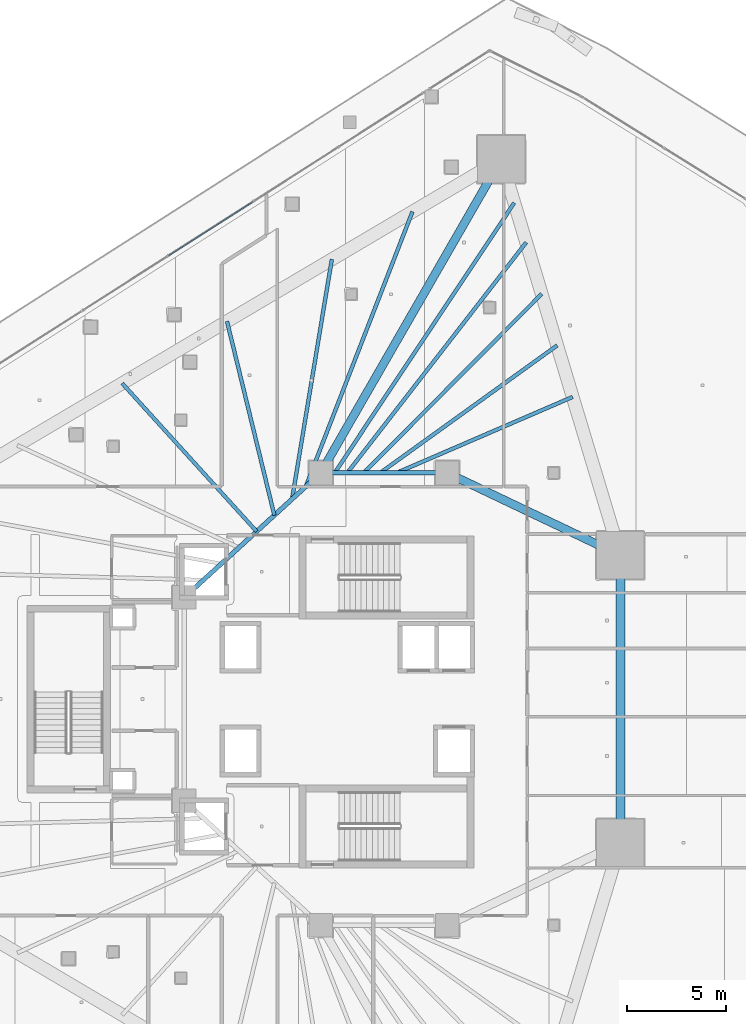
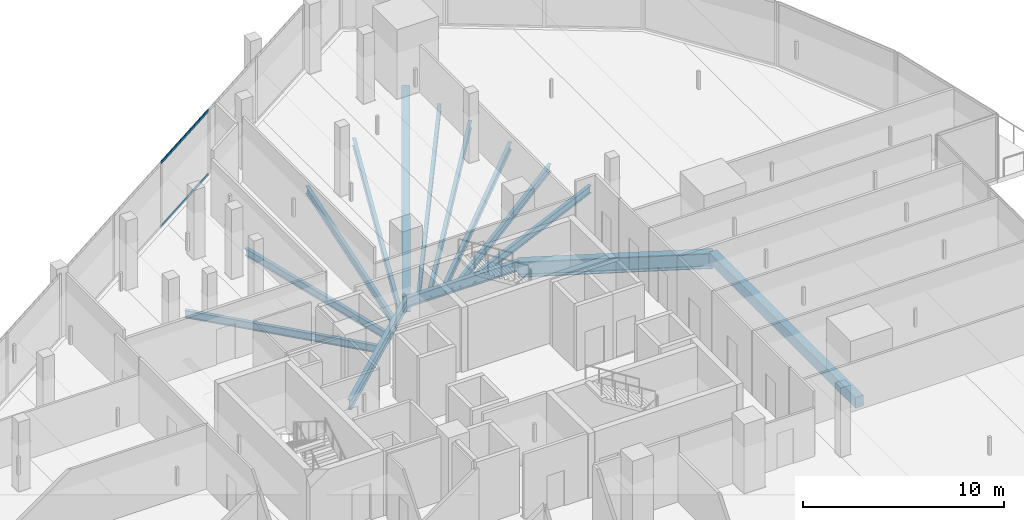
# One storey, part 19 of 44: 14 beams, 2 members, 1 element without a shape of its own.
"""IFC4 building model written with IfcOpenShell, lengths in metres."""

from ifc_helpers import new_model, si_unit, direction, frame, origin, origin_2d, place, context, subcontext, project, spatial, rectangle, hollow_rectangle, i_section, extrude, material, layer, layer_set, material_profile, profile_set, type_object, element, aggregate, save


model = new_model("IFC4")

# Units and contexts
model_context = context("Model", 3, precision=1e-05, world=origin(), true_north=direction((0.0, 1.0)))
body_context = subcontext(model_context, "Body", "Model", "MODEL_VIEW")
ifc_project = project(units=[si_unit("LENGTHUNIT", "METRE"), si_unit("AREAUNIT", "SQUARE_METRE"), si_unit("VOLUMEUNIT", "CUBIC_METRE"), si_unit("PLANEANGLEUNIT", "RADIAN"), si_unit("MASSUNIT", "GRAM", prefix="KILO")], contexts=[model_context])

# Site, building, storey
site_placement = place(None, origin())
site = spatial("IfcSite", under=ifc_project, at=site_placement, CompositionType="ELEMENT")
building_placement = place(site_placement, origin())
building = spatial("IfcBuilding", under=site, at=building_placement, Name="Qorvath Tower", CompositionType="ELEMENT")
storey_placement = place(building_placement, frame((0.0, 0.0, 57.60009765625)))
storey = spatial("IfcBuildingStorey", under=building, at=storey_placement, Name="L12", CompositionType="ELEMENT", Elevation=57.60009765625)

# Beams
ifc_material_1 = material(Name="Steel ASTM A992 Grade 50", Category="steel")
ifc_material_profile_1 = material_profile(ifc_material_1, i_section(OverallWidth=0.422119140625, OverallDepth=0.93310546875, WebThickness=0.021240234375, FlangeThickness=0.039794921875, FilletRadius=0.02392578125, at=origin_2d()), Name="W36x262")
ifc_profile_set_1 = profile_set([ifc_material_profile_1], Name="Steel ASTM A992 Grade 50")
beam_type_1 = type_object("IfcBeamType", Name="BM-FG1", PredefinedType="BEAM", material=ifc_profile_set_1)
beam_1_placement = place(storey_placement, frame((-23.60009765625, 11.449951171875, -0.74658203125), z_axis=(0.498645367714, 0.866806089767, 0.0), x_axis=(-0.866806089767, 0.498645367714, 0.0)))
element("IfcBeam", 1, at=beam_1_placement, inside=storey, type_object=beam_type_1, Name="Radial Floor Girder CC1-MC6 L12", PredefinedType="BEAM", context=body_context, shape_type="SweptSolid", body=[
    extrude(i_section(OverallWidth=0.422119140625, OverallDepth=0.93310546875, WebThickness=0.021240234375, FlangeThickness=0.039794921875, FilletRadius=0.02392578125, at=origin_2d()), origin(), (0.0, 0.0, 1.0), 18.321044921875),
])
beam_2_placement = place(storey_placement, frame((-17.199951171875, 11.449951171875, -0.74658203125), z_axis=(0.902955751435, -0.429733534821, 0.0), x_axis=(0.429733534821, 0.902955751435, 0.0)))
element("IfcBeam", 2, at=beam_2_placement, inside=storey, type_object=beam_type_1, Name="Radial Floor Girder CC2-MC5 L12", PredefinedType="BEAM", context=body_context, shape_type="SweptSolid", body=[
    extrude(i_section(OverallWidth=0.422119140625, OverallDepth=0.93310546875, WebThickness=0.021240234375, FlangeThickness=0.039794921875, FilletRadius=0.02392578125, at=origin_2d()), origin(), (0.0, 0.0, 1.0), 9.7119140625),
])
ifc_material_2 = material(Name="Steel ASTM A992 Grade 50", Category="steel")
ifc_material_profile_2 = material_profile(ifc_material_2, i_section(OverallWidth=0.22998046875, OverallDepth=0.616943359375, WebThickness=0.01318359375, FlangeThickness=0.022216796875, FilletRadius=0.014892578125, at=origin_2d()), Name="W24x94")
ifc_profile_set_2 = profile_set([ifc_material_profile_2], Name="Steel ASTM A992 Grade 50")
beam_type_2 = type_object("IfcBeamType", Name="BM-FG6", PredefinedType="BEAM", material=ifc_profile_set_2)
beam_3_placement = place(storey_placement, frame((-23.60009765625, 11.449951171875, -0.58837890625), z_axis=(1.0, 0.0, 0.0), x_axis=(0.0, 1.0, 0.0)))
element("IfcBeam", 3, at=beam_3_placement, inside=storey, type_object=beam_type_2, Name="Core Ring Girder CC1-CC2 L12", PredefinedType="BEAM", context=body_context, shape_type="SweptSolid", body=[
    extrude(i_section(OverallWidth=0.22998046875, OverallDepth=0.616943359375, WebThickness=0.01318359375, FlangeThickness=0.022216796875, FilletRadius=0.014892578125, at=origin_2d()), origin(), (0.0, 0.0, 1.0), 6.400146484375),
])
beam_4_placement = place(storey_placement, frame((-30.5, 5.14990234375, -0.58837890625), z_axis=(0.73847813985, 0.6742774184, 0.0), x_axis=(-0.6742774184, 0.73847813985, 0.0)))
element("IfcBeam", 4, at=beam_4_placement, inside=storey, type_object=beam_type_2, Name="Core Ring Girder CC5-CC1 L12", PredefinedType="BEAM", context=body_context, shape_type="SweptSolid", body=[
    extrude(i_section(OverallWidth=0.22998046875, OverallDepth=0.616943359375, WebThickness=0.01318359375, FlangeThickness=0.022216796875, FilletRadius=0.014892578125, at=origin_2d()), origin(), (0.0, 0.0, 1.0), 9.343505859375),
])
ifc_material_3 = material(Name="Steel ASTM A992 Grade 50", Category="steel")
ifc_material_profile_3 = material_profile(ifc_material_3, i_section(OverallWidth=0.18994140625, OverallDepth=0.45703125, WebThickness=0.009033203125, FlangeThickness=0.014404296875, FilletRadius=0.011962890625, at=origin_2d()), Name="W18x50")
ifc_profile_set_3 = profile_set([ifc_material_profile_3], Name="Steel ASTM A992 Grade 50")
beam_type_3 = type_object("IfcBeamType", Name="BM-FJ2", PredefinedType="JOIST", material=ifc_profile_set_3)
beam_5_placement = place(storey_placement, frame((-19.760009765625, 11.449951171875, -0.508544921875), z_axis=(0.918135537923, 0.396266493667, 0.0), x_axis=(-0.396266493667, 0.918135537923, 0.0)))
element("IfcBeam", 5, at=beam_5_placement, inside=storey, type_object=beam_type_3, Name="Composite Floor Joist NE3 L12", PredefinedType="JOIST", context=body_context, shape_type="SweptSolid", body=[
    extrude(i_section(OverallWidth=0.18994140625, OverallDepth=0.45703125, WebThickness=0.009033203125, FlangeThickness=0.014404296875, FilletRadius=0.011962890625, at=origin_2d()), origin(), (0.0, 0.0, 1.0), 9.7109375),
])
beam_6_placement = place(storey_placement, frame((-20.592041015625, 11.449951171875, -0.508544921875), z_axis=(0.811469358397, 0.584394969505, 0.0), x_axis=(-0.584394969505, 0.811469358397, 0.0)))
element("IfcBeam", 6, at=beam_6_placement, inside=storey, type_object=beam_type_3, Name="Composite Floor Joist NE4 L12", PredefinedType="JOIST", context=body_context, shape_type="SweptSolid", body=[
    extrude(i_section(OverallWidth=0.18994140625, OverallDepth=0.45703125, WebThickness=0.009033203125, FlangeThickness=0.014404296875, FilletRadius=0.011962890625, at=origin_2d()), origin(), (0.0, 0.0, 1.0), 11.046142578125),
])
beam_7_placement = place(storey_placement, frame((-21.424072265625, 11.449951171875, -0.508544921875), z_axis=(0.705107654599, 0.709100271771, 0.0), x_axis=(-0.709100271771, 0.705107654599, 0.0)))
element("IfcBeam", 7, at=beam_7_placement, inside=storey, type_object=beam_type_3, Name="Composite Floor Joist NE5 L12", PredefinedType="JOIST", context=body_context, shape_type="SweptSolid", body=[
    extrude(i_section(OverallWidth=0.18994140625, OverallDepth=0.45703125, WebThickness=0.009033203125, FlangeThickness=0.014404296875, FilletRadius=0.011962890625, at=origin_2d()), origin(), (0.0, 0.0, 1.0), 12.780029296875),
])
beam_8_placement = place(storey_placement, frame((-22.256103515625, 11.449951171875, -0.508544921875), z_axis=(0.613206963859, 0.789922286984, 0.0), x_axis=(-0.789922286984, 0.613206963859, 0.0)))
element("IfcBeam", 8, at=beam_8_placement, inside=storey, type_object=beam_type_3, Name="Composite Floor Joist NE6 L12", PredefinedType="JOIST", context=body_context, shape_type="SweptSolid", body=[
    extrude(i_section(OverallWidth=0.18994140625, OverallDepth=0.45703125, WebThickness=0.009033203125, FlangeThickness=0.014404296875, FilletRadius=0.011962890625, at=origin_2d()), origin(), (0.0, 0.0, 1.0), 14.77294921875),
])
beam_9_placement = place(storey_placement, frame((-22.89599609375, 11.449951171875, -0.508544921875), z_axis=(0.553811384989, 0.83264214994, 0.0), x_axis=(-0.83264214994, 0.553811384989, 0.0)))
element("IfcBeam", 9, at=beam_9_placement, inside=storey, type_object=beam_type_3, Name="Composite Floor Joist NE7 L12", PredefinedType="JOIST", context=body_context, shape_type="SweptSolid", body=[
    extrude(i_section(OverallWidth=0.18994140625, OverallDepth=0.45703125, WebThickness=0.009033203125, FlangeThickness=0.014404296875, FilletRadius=0.011962890625, at=origin_2d()), origin(), (0.0, 0.0, 1.0), 16.42333984375),
])
beam_10_placement = place(storey_placement, frame((-26.843017578125, 8.489013671875, -0.508544921875), z_axis=(-0.672128980215, 0.740434084815, 0.0), x_axis=(-0.740434084815, -0.672128980215, 0.0)))
element("IfcBeam", 10, at=beam_10_placement, inside=storey, type_object=beam_type_3, Name="Composite Floor Joist NW4 L12", PredefinedType="JOIST", context=body_context, shape_type="SweptSolid", body=[
    extrude(i_section(OverallWidth=0.18994140625, OverallDepth=0.45703125, WebThickness=0.009033203125, FlangeThickness=0.014404296875, FilletRadius=0.011962890625, at=origin_2d()), origin(), (0.0, 0.0, 1.0), 10.1259765625),
])
beam_11_placement = place(storey_placement, frame((-25.946044921875, 9.30810546875, -0.508544921875), z_axis=(-0.237165308581, 0.97146930801, 0.0), x_axis=(-0.97146930801, -0.237165308581, 0.0)))
element("IfcBeam", 11, at=beam_11_placement, inside=storey, type_object=beam_type_3, Name="Composite Floor Joist NW5 L12", PredefinedType="JOIST", context=body_context, shape_type="SweptSolid", body=[
    extrude(i_section(OverallWidth=0.18994140625, OverallDepth=0.45703125, WebThickness=0.009033203125, FlangeThickness=0.014404296875, FilletRadius=0.011962890625, at=origin_2d()), origin(), (0.0, 0.0, 1.0), 10.104736328125),
])
beam_12_placement = place(storey_placement, frame((-25.049072265625, 10.126953125, -0.508544921875), z_axis=(0.163639384475, 0.98652022374, 0.0), x_axis=(-0.98652022374, 0.163639384475, 0.0)))
element("IfcBeam", 12, at=beam_12_placement, inside=storey, type_object=beam_type_3, Name="Composite Floor Joist NW6 L12", PredefinedType="JOIST", context=body_context, shape_type="SweptSolid", body=[
    extrude(i_section(OverallWidth=0.18994140625, OverallDepth=0.45703125, WebThickness=0.009033203125, FlangeThickness=0.014404296875, FilletRadius=0.011962890625, at=origin_2d()), origin(), (0.0, 0.0, 1.0), 12.301025390625),
])
beam_13_placement = place(storey_placement, frame((-24.35888671875, 10.757080078125, -0.508544921875), z_axis=(0.361964096586, 0.93219203643, 0.0), x_axis=(-0.93219203643, 0.361964096586, 0.0)))
element("IfcBeam", 13, at=beam_13_placement, inside=storey, type_object=beam_type_3, Name="Composite Floor Joist NW7 L12", PredefinedType="JOIST", context=body_context, shape_type="SweptSolid", body=[
    extrude(i_section(OverallWidth=0.18994140625, OverallDepth=0.45703125, WebThickness=0.009033203125, FlangeThickness=0.014404296875, FilletRadius=0.011962890625, at=origin_2d()), origin(), (0.0, 0.0, 1.0), 14.93115234375),
])
ifc_material_4 = material(Name="Concrete C45/55", Category="concrete")
ifc_material_profile_4 = material_profile(ifc_material_4, rectangle(XDim=0.449951171875, YDim=0.64990234375, at=origin_2d()), Name="RCB 650x450")
ifc_profile_set_4 = profile_set([ifc_material_profile_4], Name="Concrete C45/55")
beam_type_4 = type_object("IfcBeamType", Name="BM-RCB4", PredefinedType="LINTEL", material=ifc_profile_set_4)
beam_14_placement = place(storey_placement, frame((-8.430419921875, -7.2763671875, -0.60498046875), z_axis=(0.0, 1.0, 0.0), x_axis=(-1.0, 0.0, 0.0)))
element("IfcBeam", 14, at=beam_14_placement, inside=storey, type_object=beam_type_4, Name="Slot Portal Lintel Beam L12", PredefinedType="LINTEL", context=body_context, shape_type="SweptSolid", body=[
    extrude(rectangle(XDim=0.449951171875, YDim=0.64990234375, at=origin_2d()), origin(), (0.0, 0.0, 1.0), 14.552734375),
])

# Curtain wall, members
ifc_material_5 = material(Name="Anodised aluminium and triple low-E glass", Category="aluminium")
ifc_layer = layer(ifc_material_5, 0.179931640625)
ifc_layer_set = layer_set([ifc_layer], Name="CW-SYS-2")
curtain_wall_type = type_object("IfcCurtainWallType", Name="CW-SYS-2", PredefinedType="NOTDEFINED", material=ifc_layer_set)
curtain_wall_placement = place(storey_placement, origin())
curtain_wall = element("IfcCurtainWall", 15, at=curtain_wall_placement, inside=storey, type_object=curtain_wall_type, Name="Curtain Wall CW-2 CW-T-L12-16.2", PredefinedType="NOTDEFINED")
ifc_material_6 = material(Name="Anodised aluminium 6063-T6", Category="aluminium")
ifc_material_profile_5 = material_profile(ifc_material_6, hollow_rectangle(XDim=0.06494140625, YDim=0.159912109375, WallThickness=0.00341796875, InnerFilletRadius=0.00341796875, OuterFilletRadius=0.007080078125, at=origin_2d()), Name="CWT 160x65")
ifc_profile_set_5 = profile_set([ifc_material_profile_5], Name="Anodised aluminium 6063-T6")
member_type = type_object("IfcMemberType", Name="CWT-160", PredefinedType="USERDEFINED", material=ifc_profile_set_5)
member_1_placement = place(storey_placement, frame((-27.034423828125, 25.17138671875, 0.032470703125), z_axis=(-0.842598957411, -0.538541546188, 0.0), x_axis=(0.538541546188, -0.842598957411, 0.0)))
member_1 = element("IfcMember", 16, at=member_1_placement, type_object=member_type, Name="CW-2 transom 3.1", ObjectType="TRANSOM", PredefinedType="USERDEFINED", context=body_context, shape_type="SweptSolid", body=[
    extrude(hollow_rectangle(XDim=0.06494140625, YDim=0.159912109375, WallThickness=0.00341796875, InnerFilletRadius=0.00341796875, OuterFilletRadius=0.007080078125, at=origin_2d()), origin(), (0.0, 0.0, 1.0), 5.06005859375),
])
member_2_placement = place(storey_placement, frame((-27.034423828125, 25.17138671875, 3.887451171875), z_axis=(-0.842598957411, -0.538541546188, 0.0), x_axis=(0.538541546188, -0.842598957411, 0.0)))
member_2 = element("IfcMember", 17, at=member_2_placement, type_object=member_type, Name="CW-2 transom 3.2", ObjectType="TRANSOM", PredefinedType="USERDEFINED", context=body_context, shape_type="SweptSolid", body=[
    extrude(hollow_rectangle(XDim=0.06494140625, YDim=0.159912109375, WallThickness=0.00341796875, InnerFilletRadius=0.00341796875, OuterFilletRadius=0.007080078125, at=origin_2d()), origin(), (0.0, 0.0, 1.0), 5.06005859375),
])
aggregate(curtain_wall, [member_1, member_2])

save(model, "model.ifc")
